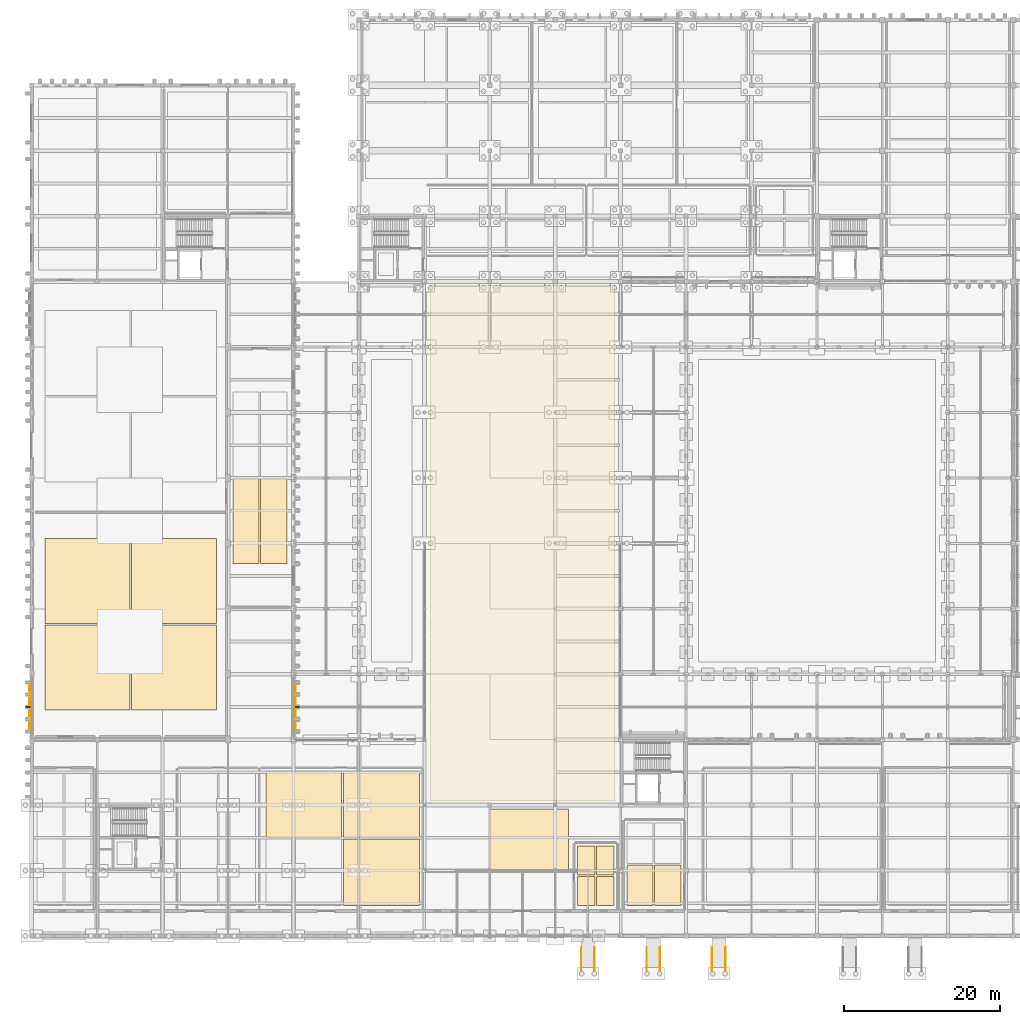
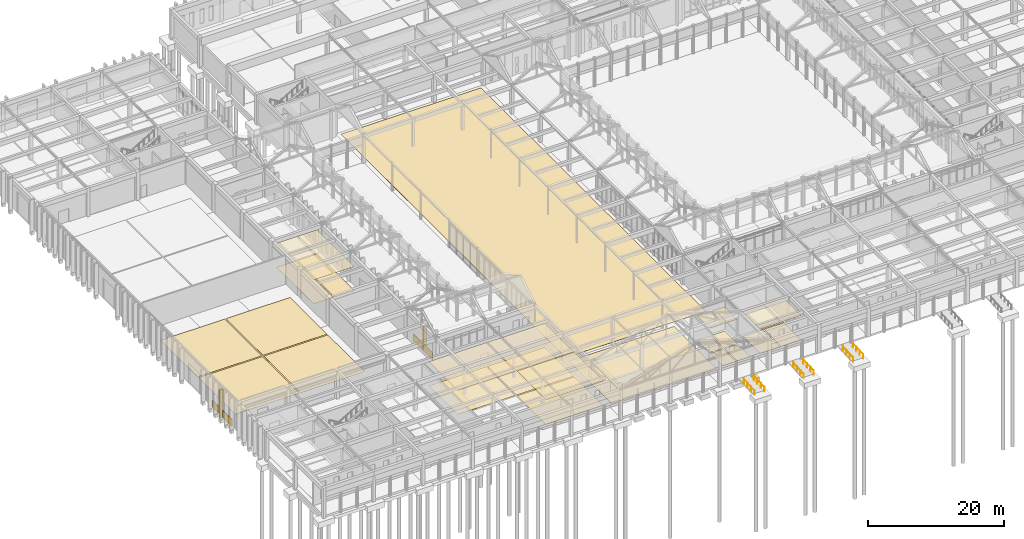
# One storey, part 132 of 143: 28 coverings, 6 railings, 2 shading devices.
"""IFC4 building model written with IfcOpenShell, lengths in metres."""

from ifc_helpers import new_model, si_unit, direction, frame, origin, origin_2d, place, context, subcontext, project, spatial, rectangle, circle, extrude, material, layer, layer_set, type_object, element, save


model = new_model("IFC4")

# Units and contexts
model_context = context("Model", 3, precision=1e-05, world=origin(), true_north=direction((0.0, 1.0)))
body_context = subcontext(model_context, "Body", "Model", "MODEL_VIEW")
ifc_project = project(units=[si_unit("LENGTHUNIT", "METRE"), si_unit("AREAUNIT", "SQUARE_METRE"), si_unit("VOLUMEUNIT", "CUBIC_METRE"), si_unit("PLANEANGLEUNIT", "RADIAN"), si_unit("MASSUNIT", "GRAM", prefix="KILO")], contexts=[model_context])

# Site, building, storey
site_placement = place(None, origin())
site = spatial("IfcSite", under=ifc_project, at=site_placement, CompositionType="ELEMENT")
building_placement = place(site_placement, origin())
building = spatial("IfcBuilding", under=site, at=building_placement, Name="Kveldsbrygga Polytechnic", CompositionType="ELEMENT")
storey_placement = place(building_placement, origin())
storey = spatial("IfcBuildingStorey", under=building, at=storey_placement, Name="L00", CompositionType="ELEMENT", Elevation=0.0)

# Coverings
ifc_material_1 = material(Name="Iddefjord granite ashlar", Category="masonry")
ifc_layer_1 = layer(ifc_material_1, 0.080078125)
ifc_layer_set_1 = layer_set([ifc_layer_1], Name="Iddefjord granite ashlar")
covering_type_1 = type_object("IfcCoveringType", Name="CLD-GRAN-PLINTH", PredefinedType="CLADDING", material=ifc_layer_set_1)
for number, where, z_axis, x_axis, name in (
    (1, (-0.248046875, 29.39990234375, 0.0), (0.0, 0.0, 1.0), (0.0, 1.0, 0.0), "Granite Plinth Cladding Y-00-03"),
    (2, (33.847900390625, 29.39990234375, 0.0), (0.0, 0.0, 1.0), (0.0, 1.0, 0.0), "Granite Plinth Cladding Y-04-03"),
):
    element("IfcCovering", number, at=place(storey_placement, frame(where, z_axis=z_axis, x_axis=x_axis)), inside=storey, type_object=covering_type_1, Name=name, PredefinedType="CLADDING", context=body_context, shape_type="SweptSolid", body=[
        extrude(rectangle(XDim=5.72998046875, YDim=0.080078125, at=origin_2d()), origin(), (0.0, 0.0, 1.0), 1.300048828125),
    ])
ifc_material_2 = material(Name="Acoustic mineral baffle ceiling")
ifc_layer_2 = layer(ifc_material_2, 0.030029296875)
ifc_layer_set_2 = layer_set([ifc_layer_2], Name="Acoustic mineral baffle ceiling")
covering_type_2 = type_object("IfcCoveringType", Name="COV-CEIL-AC30", PredefinedType="CEILING", material=ifc_layer_set_2)
for number, where, z_axis, x_axis, name in (
    (3, (27.52490234375, 53.25, 4.2900390625), (0.0, 0.0, 1.0), (1.0, 0.0, 0.0), "Acoustic Ceiling SP-L00-WKPREP-WS"),
    (4, (31.074951171875, 53.25, 4.2900390625), (0.0, 0.0, 1.0), (1.0, 0.0, 0.0), "Acoustic Ceiling SP-L00-WKPREP-ES"),
):
    element("IfcCovering", number, at=place(storey_placement, frame(where, z_axis=z_axis, x_axis=x_axis)), inside=storey, type_object=covering_type_2, Name=name, PredefinedType="CEILING", context=body_context, shape_type="SweptSolid", body=[
        extrude(rectangle(XDim=3.35009765625, YDim=10.89990234375, at=origin_2d()), origin(), (0.0, 0.0, 1.0), 0.030029296875),
    ])
for number, where, z_axis, x_axis, name in (
    (5, (34.925048828125, 16.887451171875, 4.330078125), (0.0, 0.0, 1.0), (1.0, 0.0, 0.0), "Acoustic Ceiling SP-L00-BOOK-WN"),
    (6, (44.875, 8.16259765625, 4.43017578125), (0.0, 0.0, 1.0), (1.0, 0.0, 0.0), "Acoustic Ceiling SP-L00-BOOK-ES"),
    (7, (44.875, 16.887451171875, 4.330078125), (0.0, 0.0, 1.0), (1.0, 0.0, 0.0), "Acoustic Ceiling SP-L00-BOOK-EN"),
):
    element("IfcCovering", number, at=place(storey_placement, frame(where, z_axis=z_axis, x_axis=x_axis)), inside=storey, type_object=covering_type_2, Name=name, PredefinedType="CEILING", context=body_context, shape_type="SweptSolid", body=[
        extrude(rectangle(XDim=9.75, YDim=8.52490234375, at=origin_2d()), origin(), (0.0, 0.0, 1.0), 0.030029296875),
    ])
ifc_material_3 = material(Name="Gypsum acoustic ceiling")
ifc_layer_3 = layer(ifc_material_3, 0.02001953125)
ifc_layer_set_3 = layer_set([ifc_layer_3], Name="Gypsum acoustic ceiling")
covering_type_3 = type_object("IfcCoveringType", Name="COV-CEIL-GY20", PredefinedType="CEILING", material=ifc_layer_set_3)
for number, where, z_axis, x_axis, name in (
    (8, (71.175048828125, 9.6875, 4.369873046875), (0.0, 0.0, 1.0), (1.0, 0.0, 0.0), "Acoustic Ceiling SP-L00-FCR-WN"),
    (9, (73.625, 9.6875, 4.369873046875), (0.0, 0.0, 1.0), (1.0, 0.0, 0.0), "Acoustic Ceiling SP-L00-FCR-EN"),
):
    element("IfcCovering", number, at=place(storey_placement, frame(where, z_axis=z_axis, x_axis=x_axis)), inside=storey, type_object=covering_type_3, Name=name, PredefinedType="CEILING", context=body_context, shape_type="SweptSolid", body=[
        extrude(rectangle(XDim=2.25, YDim=3.72509765625, at=origin_2d()), origin(), (0.0, 0.0, 1.0), 0.02001953125),
    ])
ifc_material_4 = material(Name="Acoustic oak timber slat ceiling", Category="wood")
ifc_layer_4 = layer(ifc_material_4, 0.0400390625)
ifc_layer_set_4 = layer_set([ifc_layer_4], Name="Acoustic oak timber slat ceiling")
covering_type_4 = type_object("IfcCoveringType", Name="COV-CEIL-WD40", PredefinedType="CEILING", material=ifc_layer_set_4)
for number, where, z_axis, x_axis, name in (
    (10, (78.08740234375, 6.5, 4.419921875), (0.0, 0.0, 1.0), (1.0, 0.0, 0.0), "Acoustic Ceiling SP-L00-REFECW-WS"),
    (11, (81.66259765625, 6.5, 4.419921875), (0.0, 0.0, 1.0), (1.0, 0.0, 0.0), "Acoustic Ceiling SP-L00-REFECW-ES"),
):
    element("IfcCovering", number, at=place(storey_placement, frame(where, z_axis=z_axis, x_axis=x_axis)), inside=storey, type_object=covering_type_4, Name=name, PredefinedType="CEILING", context=body_context, shape_type="SweptSolid", body=[
        extrude(rectangle(XDim=3.375, YDim=5.199951171875, at=origin_2d()), origin(), (0.0, 0.0, 1.0), 0.0400390625),
    ])
ifc_material_5 = material(Name="Heavy-duty quartz-filled epoxy resin flooring")
ifc_layer_5 = layer(ifc_material_5, 0.014892578125)
ifc_layer_set_5 = layer_set([ifc_layer_5], Name="Heavy-duty quartz-filled epoxy resin flooring")
covering_type_5 = type_object("IfcCoveringType", Name="COV-FLR-EPX15", PredefinedType="FLOORING", material=ifc_layer_set_5)
for number, where, z_axis, x_axis, name in (
    (12, (7.14990234375, 34.449951171875, 0.0), (0.0, 0.0, 1.0), (1.0, 0.0, 0.0), "Room Flooring SP-L00-WK1-WS"),
    (13, (7.14990234375, 45.550048828125, 0.0), (0.0, 0.0, 1.0), (1.0, 0.0, 0.0), "Room Flooring SP-L00-WK1-WN"),
    (14, (18.25, 34.449951171875, 0.0), (0.0, 0.0, 1.0), (1.0, 0.0, 0.0), "Room Flooring SP-L00-WK1-ES"),
    (15, (18.25, 45.550048828125, 0.0), (0.0, 0.0, 1.0), (1.0, 0.0, 0.0), "Room Flooring SP-L00-WK1-EN"),
):
    element("IfcCovering", number, at=place(storey_placement, frame(where, z_axis=z_axis, x_axis=x_axis)), inside=storey, type_object=covering_type_5, Name=name, PredefinedType="FLOORING", context=body_context, shape_type="SweptSolid", body=[
        extrude(rectangle(XDim=10.89990234375, YDim=10.89990234375, at=origin_2d()), origin(), (0.0, 0.0, 1.0), 0.014892578125),
    ])
for number, where, z_axis, x_axis, name in (
    (16, (27.52490234375, 53.25, 0.0), (0.0, 0.0, 1.0), (1.0, 0.0, 0.0), "Room Flooring SP-L00-WKPREP-WS"),
    (17, (31.074951171875, 53.25, 0.0), (0.0, 0.0, 1.0), (1.0, 0.0, 0.0), "Room Flooring SP-L00-WKPREP-ES"),
):
    element("IfcCovering", number, at=place(storey_placement, frame(where, z_axis=z_axis, x_axis=x_axis)), inside=storey, type_object=covering_type_5, Name=name, PredefinedType="FLOORING", context=body_context, shape_type="SweptSolid", body=[
        extrude(rectangle(XDim=3.35009765625, YDim=10.89990234375, at=origin_2d()), origin(), (0.0, 0.0, 1.0), 0.014892578125),
    ])
for number, where, z_axis, x_axis, name in (
    (18, (71.175048828125, 5.762451171875, 0.0), (0.0, 0.0, 1.0), (1.0, 0.0, 0.0), "Room Flooring SP-L00-FCR-WS"),
    (19, (71.175048828125, 9.6875, 0.0), (0.0, 0.0, 1.0), (1.0, 0.0, 0.0), "Room Flooring SP-L00-FCR-WN"),
    (20, (73.625, 5.762451171875, 0.0), (0.0, 0.0, 1.0), (1.0, 0.0, 0.0), "Room Flooring SP-L00-FCR-ES"),
    (21, (73.625, 9.6875, 0.0), (0.0, 0.0, 1.0), (1.0, 0.0, 0.0), "Room Flooring SP-L00-FCR-EN"),
):
    element("IfcCovering", number, at=place(storey_placement, frame(where, z_axis=z_axis, x_axis=x_axis)), inside=storey, type_object=covering_type_5, Name=name, PredefinedType="FLOORING", context=body_context, shape_type="SweptSolid", body=[
        extrude(rectangle(XDim=2.25, YDim=3.72509765625, at=origin_2d()), origin(), (0.0, 0.0, 1.0), 0.014892578125),
    ])
ifc_material_6 = material(Name="Iddefjord granite honed paving", Category="masonry")
ifc_layer_6 = layer(ifc_material_6, 0.02490234375)
ifc_layer_set_6 = layer_set([ifc_layer_6], Name="Iddefjord granite honed paving")
covering_type_6 = type_object("IfcCoveringType", Name="COV-FLR-GRN25", PredefinedType="FLOORING", material=ifc_layer_set_6)
covering_1_placement = place(storey_placement, frame((59.97509765625, 10.02490234375, -0.00048828125), z_axis=(0.0, 0.0, 1.0), x_axis=(1.0, 0.0, 0.0)))
element("IfcCovering", 22, at=covering_1_placement, inside=storey, type_object=covering_type_6, Name="Concourse Granite Flooring SP-L00-PORCH", PredefinedType="FLOORING", context=body_context, shape_type="SweptSolid", body=[
    extrude(rectangle(XDim=17.85009765625, YDim=12.550048828125, at=origin_2d()), origin(), (0.0, 0.0, 1.0), 0.02490234375),
])
covering_2_placement = place(storey_placement, frame((63.0, 50.39990234375, -0.00048828125), z_axis=(0.0, 0.0, 1.0), x_axis=(1.0, 0.0, 0.0)))
element("IfcCovering", 23, at=covering_2_placement, inside=storey, type_object=covering_type_6, Name="Concourse Granite Flooring SP-L00-CONC", PredefinedType="FLOORING", context=body_context, shape_type="SweptSolid", body=[
    extrude(rectangle(XDim=23.800048828125, YDim=66.199951171875, at=origin_2d()), origin(), (0.0, 0.0, 1.0), 0.02490234375),
])
ifc_material_7 = material(Name="Acoustic oak timber flooring", Category="wood")
ifc_layer_7 = layer(ifc_material_7, 0.02197265625)
ifc_layer_set_7 = layer_set([ifc_layer_7], Name="Acoustic oak timber flooring")
covering_type_7 = type_object("IfcCoveringType", Name="COV-FLR-OAK22", PredefinedType="FLOORING", material=ifc_layer_set_7)
for number, where, z_axis, x_axis, name in (
    (24, (34.925048828125, 16.887451171875, 0.0), (0.0, 0.0, 1.0), (1.0, 0.0, 0.0), "Room Flooring SP-L00-BOOK-WN"),
    (25, (44.875, 8.16259765625, 0.0), (0.0, 0.0, 1.0), (1.0, 0.0, 0.0), "Room Flooring SP-L00-BOOK-ES"),
    (26, (44.875, 16.887451171875, 0.0), (0.0, 0.0, 1.0), (1.0, 0.0, 0.0), "Room Flooring SP-L00-BOOK-EN"),
):
    element("IfcCovering", number, at=place(storey_placement, frame(where, z_axis=z_axis, x_axis=x_axis)), inside=storey, type_object=covering_type_7, Name=name, PredefinedType="FLOORING", context=body_context, shape_type="SweptSolid", body=[
        extrude(rectangle(XDim=9.75, YDim=8.52490234375, at=origin_2d()), origin(), (0.0, 0.0, 1.0), 0.02197265625),
    ])
for number, where, z_axis, x_axis, name in (
    (27, (78.08740234375, 6.5, 0.0), (0.0, 0.0, 1.0), (1.0, 0.0, 0.0), "Room Flooring SP-L00-REFECW-WS"),
    (28, (81.66259765625, 6.5, 0.0), (0.0, 0.0, 1.0), (1.0, 0.0, 0.0), "Room Flooring SP-L00-REFECW-ES"),
):
    element("IfcCovering", number, at=place(storey_placement, frame(where, z_axis=z_axis, x_axis=x_axis)), inside=storey, type_object=covering_type_7, Name=name, PredefinedType="FLOORING", context=body_context, shape_type="SweptSolid", body=[
        extrude(rectangle(XDim=3.375, YDim=5.199951171875, at=origin_2d()), origin(), (0.0, 0.0, 1.0), 0.02197265625),
    ])

# Shading devices
ifc_material_8 = material(Name="Fired clay brick masonry M10", Category="masonry")
shading_device_type = type_object("IfcShadingDeviceType", Name="FIN-BRICK-550", PredefinedType="JALOUSIE", material=ifc_material_8)
shading_device_1_placement = place(storey_placement, frame((-0.48095703125, 29.39990234375, 0.0), z_axis=(0.0, 0.0, 1.0), x_axis=(0.0, 1.0, 0.0)))
element("IfcShadingDevice", 29, at=shading_device_1_placement, inside=storey, type_object=shading_device_type, Name="Brick Shading Fin L00-Y-00-03", PredefinedType="JALOUSIE", context=body_context, shape_type="SweptSolid", body=[
    extrude(rectangle(XDim=0.219970703125, YDim=0.550048828125, at=origin_2d()), origin(), (0.0, 0.0, 1.0), 5.0400390625),
])
shading_device_2_placement = place(storey_placement, frame((34.0810546875, 29.39990234375, 0.0), z_axis=(0.0, 0.0, 1.0), x_axis=(0.0, 1.0, 0.0)))
element("IfcShadingDevice", 30, at=shading_device_2_placement, inside=storey, type_object=shading_device_type, Name="Brick Shading Fin L00-Y-04-03", PredefinedType="JALOUSIE", context=body_context, shape_type="SweptSolid", body=[
    extrude(rectangle(XDim=0.219970703125, YDim=0.550048828125, at=origin_2d()), origin(), (0.0, 0.0, 1.0), 4.35009765625),
])

# Railings
ifc_material_9 = material(Name="Steel S355", Category="steel")
railing_type = type_object("IfcRailingType", Name="GRD-EXT-120", PredefinedType="GUARDRAIL", material=ifc_material_9)
for number, where, name in (
    (31, (70.550048828125, -4.5, -0.300048828125), "Ramp Handrail RMP-01-L"),
    (32, (72.25, -4.5, -0.300048828125), "Ramp Handrail RMP-01-R"),
    (33, (78.949951171875, -4.5, -0.300048828125), "Ramp Handrail RMP-02-L"),
    (34, (80.64990234375, -4.5, -0.300048828125), "Ramp Handrail RMP-02-R"),
    (35, (87.35009765625, -4.5, -0.300048828125), "Ramp Handrail RMP-03-L"),
    (36, (89.050048828125, -4.5, -0.300048828125), "Ramp Handrail RMP-03-R"),
):
    element("IfcRailing", number, at=place(storey_placement, frame(where)), inside=storey, type_object=railing_type, Name=name, PredefinedType="GUARDRAIL", context=body_context, shape_type="SweptSolid", body=[
        extrude(circle(Radius=0.02392578125, at=origin_2d()), frame((0.0, 0.0, 0.8759765625), z_axis=(0.0, 0.997789749648, 0.066450097791), x_axis=(-1.0, 0.0, 0.0)), (0.0, 0.0, 1.0), 3.056884765625),
        extrude(circle(Radius=0.02099609375, at=origin_2d()), origin(), (0.0, 0.0, 1.0), 0.847900390625),
        extrude(circle(Radius=0.02099609375, at=origin_2d()), frame((0.0, 1.0166015625, 0.067626953125)), (0.0, 0.0, 1.0), 0.847900390625),
        extrude(circle(Radius=0.02099609375, at=origin_2d()), frame((0.0, 2.033447265625, 0.135498046875)), (0.0, 0.0, 1.0), 0.847900390625),
        extrude(circle(Radius=0.02099609375, at=origin_2d()), frame((0.0, 3.050048828125, 0.203125)), (0.0, 0.0, 1.0), 0.847900390625),
    ])

save(model, "model.ifc")
